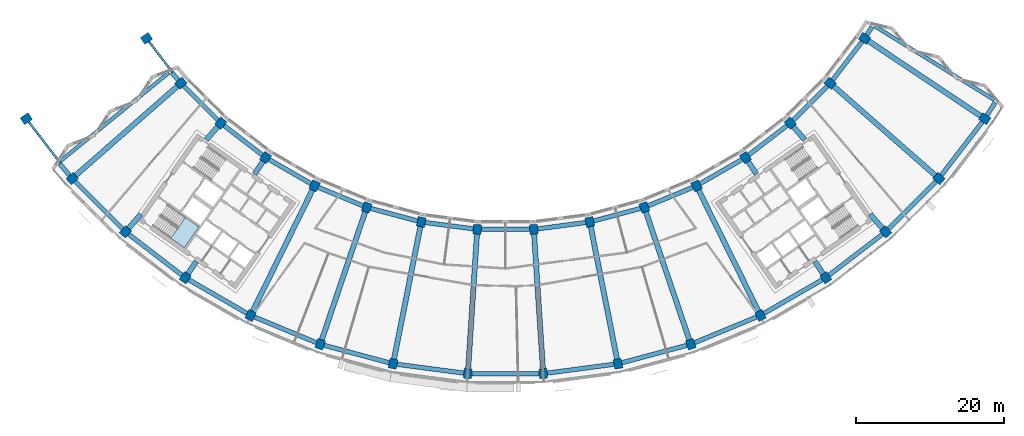
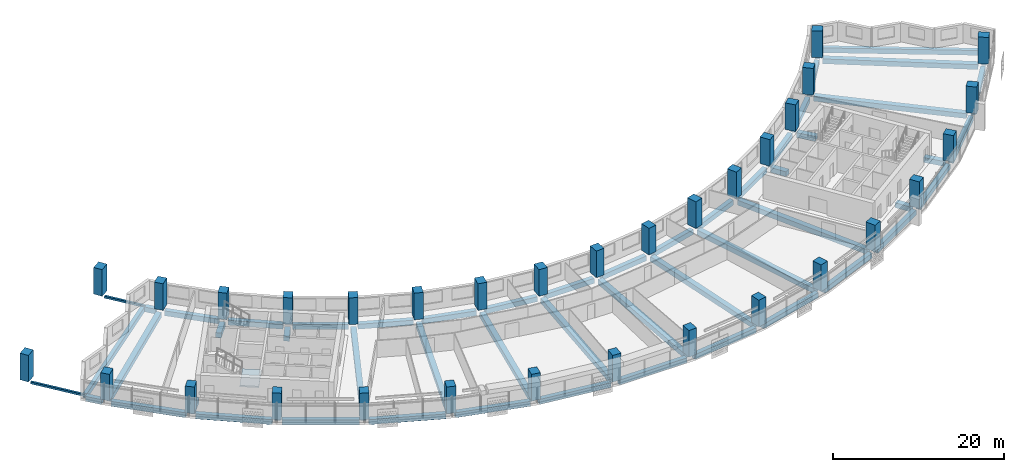
# One storey, part 1 of 27: 53 beams, 32 columns, 2 members, 1 slab, 1 element without a shape of its own.
"""IFC4 building model written with IfcOpenShell, lengths in metres."""

from ifc_helpers import new_model, si_unit, direction, frame, origin, origin_2d, place, context, subcontext, project, spatial, polyline, rectangle, hollow_rectangle, outline, extrude, material, layer, layer_set, material_profile, profile_set, type_object, element, aggregate, save


model = new_model("IFC4")

# Units and contexts
model_context = context("Model", 3, precision=1e-05, world=origin(), true_north=direction((0.0, 1.0)))
body_context = subcontext(model_context, "Body", "Model", "MODEL_VIEW")
ifc_project = project(units=[si_unit("LENGTHUNIT", "METRE"), si_unit("AREAUNIT", "SQUARE_METRE"), si_unit("VOLUMEUNIT", "CUBIC_METRE"), si_unit("PLANEANGLEUNIT", "RADIAN"), si_unit("MASSUNIT", "GRAM", prefix="KILO")], contexts=[model_context])

# Site, building, storey
site_placement = place(None, origin())
site = spatial("IfcSite", under=ifc_project, at=site_placement, CompositionType="ELEMENT")
building_placement = place(site_placement, origin())
building = spatial("IfcBuilding", under=site, at=building_placement, Name="Qamariyya Broadcast Tower", CompositionType="ELEMENT")
storey_placement = place(building_placement, frame((0.0, 0.0, 175.89990234375)))
storey = spatial("IfcBuildingStorey", under=building, at=storey_placement, Name="L41", CompositionType="ELEMENT", Elevation=175.89990234375)

# Columns
ifc_material_1 = material(Name="Concrete C60/75", Category="concrete")
ifc_material_profile_1 = material_profile(ifc_material_1, rectangle(XDim=1.10009765625, YDim=1.300048828125, at=origin_2d()))
ifc_profile_set_1 = profile_set([ifc_material_profile_1], Name="Concrete C60/75")
column_type = type_object("IfcColumnType", Name="RC column 1100 x 1300 C60/75", PredefinedType="COLUMN", material=ifc_profile_set_1)
for number, where, z_axis, x_axis, name in (
    (1, (-43.794677734375, -38.406982421875, 0.0), (0.0, 0.0, 1.0), (0.6593458151, -0.751839807479, 0.0), "Column C8 L41 B-R04"),
    (2, (-58.45556640625, -51.26416015625, 0.0), (0.0, 0.0, 1.0), (0.6593458151, -0.751839807479, 0.0), "Column C8 L41 C-R04"),
    (3, (-38.406982421875, -43.794677734375, 0.0), (0.0, 0.0, 1.0), (0.751839807479, -0.6593458151, 0.0), "Column C8 L41 B-R05"),
    (4, (-51.26416015625, -58.45556640625, 0.0), (0.0, 0.0, 1.0), (0.751839807479, -0.6593458151, 0.0), "Column C8 L41 C-R05"),
    (5, (-32.362060546875, -48.43310546875, 0.0), (0.0, 0.0, 1.0), (0.831469612303, -0.55557023302, 0.0), "Column C8 L41 B-R06"),
    (6, (-43.195556640625, -64.646728515625, 0.0), (0.0, 0.0, 1.0), (0.831469612303, -0.55557023302, 0.0), "Column C8 L41 C-R06"),
    (7, (-25.763427734375, -52.242919921875, 0.0), (0.0, 0.0, 1.0), (0.896872741533, -0.442288690219, 0.0), "Column C8 L41 B-R07"),
    (8, (-34.387939453125, -69.73193359375, 0.0), (0.0, 0.0, 1.0), (0.896872741533, -0.442288690219, 0.0), "Column C8 L41 C-R07"),
    (9, (-18.723876953125, -55.15869140625, 0.0), (0.0, 0.0, 1.0), (0.946930129495, -0.321439465303, 0.0), "Column C8 L41 B-R08"),
    (10, (-24.991943359375, -73.623779296875, 0.0), (0.0, 0.0, 1.0), (0.946930129495, -0.321439465303, 0.0), "Column C8 L41 C-R08"),
    (11, (-11.364013671875, -57.130859375, 0.0), (0.0, 0.0, 1.0), (0.980785280403, -0.195090322016, 0.0), "Column C8 L41 B-R09"),
    (12, (-15.168212890625, -76.256103515625, 0.0), (0.0, 0.0, 1.0), (0.980785280403, -0.195090322016, 0.0), "Column C8 L41 C-R09"),
    (13, (-3.809814453125, -58.125244140625, 0.0), (0.0, 0.0, 1.0), (0.997858923239, -0.06540312923, 0.0), "Column C8 L41 B-R10"),
    (14, (-5.085205078125, -77.58349609375, 0.0), (0.0, 0.0, 1.0), (0.997858923239, -0.06540312923, 0.0), "Column C8 L41 C-R10"),
    (15, (3.809814453125, -58.125244140625, 0.0), (0.0, 0.0, 1.0), (0.997858923239, 0.06540312923, 0.0), "Column C8 L41 B-R11"),
    (16, (5.085205078125, -77.58349609375, 0.0), (0.0, 0.0, 1.0), (0.997858923239, 0.06540312923, 0.0), "Column C8 L41 C-R11"),
    (17, (11.364013671875, -57.130859375, 0.0), (0.0, 0.0, 1.0), (0.980785280403, 0.195090322016, 0.0), "Column C8 L41 B-R12"),
    (18, (15.168212890625, -76.256103515625, 0.0), (0.0, 0.0, 1.0), (0.980785280403, 0.195090322016, 0.0), "Column C8 L41 C-R12"),
    (19, (18.723876953125, -55.15869140625, 0.0), (0.0, 0.0, 1.0), (0.946930129495, 0.321439465303, 0.0), "Column C8 L41 B-R13"),
    (20, (24.991943359375, -73.623779296875, 0.0), (0.0, 0.0, 1.0), (0.946930129495, 0.321439465303, 0.0), "Column C8 L41 C-R13"),
    (21, (25.763427734375, -52.242919921875, 0.0), (0.0, 0.0, 1.0), (0.896872741533, 0.442288690219, 0.0), "Column C8 L41 B-R14"),
    (22, (34.387939453125, -69.73193359375, 0.0), (0.0, 0.0, 1.0), (0.896872741533, 0.442288690219, 0.0), "Column C8 L41 C-R14"),
    (23, (32.362060546875, -48.43310546875, 0.0), (0.0, 0.0, 1.0), (0.831469612303, 0.55557023302, 0.0), "Column C8 L41 B-R15"),
    (24, (43.195556640625, -64.646728515625, 0.0), (0.0, 0.0, 1.0), (0.831469612303, 0.55557023302, 0.0), "Column C8 L41 C-R15"),
    (25, (38.406982421875, -43.794677734375, 0.0), (0.0, 0.0, 1.0), (0.751839807479, 0.6593458151, 0.0), "Column C8 L41 B-R16"),
    (26, (51.26416015625, -58.45556640625, 0.0), (0.0, 0.0, 1.0), (0.751839807479, 0.6593458151, 0.0), "Column C8 L41 C-R16"),
    (27, (43.794677734375, -38.406982421875, 0.0), (0.0, 0.0, 1.0), (0.6593458151, 0.751839807479, 0.0), "Column C8 L41 B-R17"),
    (28, (58.45556640625, -51.26416015625, 0.0), (0.0, 0.0, 1.0), (0.6593458151, 0.751839807479, 0.0), "Column C8 L41 C-R17"),
    (29, (48.43310546875, -32.362060546875, 0.0), (0.0, 0.0, 1.0), (0.55557023302, 0.831469612303, 0.0), "Column C8 L41 B-R18"),
    (30, (64.646728515625, -43.195556640625, 0.0), (0.0, 0.0, 1.0), (0.55557023302, 0.831469612303, 0.0), "Column C8 L41 C-R18"),
    (31, (-48.43310546875, -32.362060546875, 0.0), (0.0, 0.0, 1.0), (0.55557023302, -0.831469612303, 0.0), "Column C8 L41 B-R03"),
    (32, (-64.646728515625, -43.195556640625, 0.0), (0.0, 0.0, 1.0), (0.55557023302, -0.831469612303, 0.0), "Column C8 L41 C-R03"),
):
    element("IfcColumn", number, at=place(storey_placement, frame(where, z_axis=z_axis, x_axis=x_axis)), inside=storey, type_object=column_type, Name=name, PredefinedType="COLUMN", context=body_context, shape_type="SweptSolid", body=[
        extrude(rectangle(XDim=1.10009765625, YDim=1.300048828125, at=origin_2d()), origin(), (0.0, 0.0, 1.0), 3.800048828125),
    ])

# Members
ifc_material_2 = material(Name="Steel S355", Category="steel")
ifc_material_profile_2 = material_profile(ifc_material_2, hollow_rectangle(XDim=0.300048828125, YDim=0.300048828125, WallThickness=0.012451171875, InnerFilletRadius=0.012451171875, OuterFilletRadius=0.02490234375, at=origin_2d()))
ifc_profile_set_2 = profile_set([ifc_material_profile_2], Name="Steel S355")
member_type = type_object("IfcMemberType", Name="Pylon tie RHS 300x300x12.5", PredefinedType="STRUT", material=ifc_profile_set_2)
member_1_placement = place(storey_placement, frame((-44.130126953125, -37.9697265625, -0.449951171875), z_axis=(-0.608774374473, 0.793343406719, 0.0), x_axis=(-0.793343406719, -0.608774374473, 0.0)))
element("IfcMember", 33, at=member_1_placement, inside=storey, type_object=member_type, Name="Pylon tie T1 L41 B-R03", PredefinedType="STRUT", context=body_context, shape_type="SweptSolid", body=[
    extrude(hollow_rectangle(XDim=0.300048828125, YDim=0.300048828125, WallThickness=0.012451171875, InnerFilletRadius=0.012451171875, OuterFilletRadius=0.02490234375, at=origin_2d()), origin(), (0.0, 0.0, 1.0), 6.517333984375),
])
member_2_placement = place(storey_placement, frame((-58.791015625, -50.826904296875, -0.449951171875), z_axis=(-0.608764405458, 0.793351056372, 0.0), x_axis=(-0.793351056372, -0.608764405458, 0.0)))
element("IfcMember", 34, at=member_2_placement, inside=storey, type_object=member_type, Name="Pylon tie T1 L41 C-R03", PredefinedType="STRUT", context=body_context, shape_type="SweptSolid", body=[
    extrude(hollow_rectangle(XDim=0.300048828125, YDim=0.300048828125, WallThickness=0.012451171875, InnerFilletRadius=0.012451171875, OuterFilletRadius=0.02490234375, at=origin_2d()), origin(), (0.0, 0.0, 1.0), 9.06787109375),
])

# Beams
ifc_material_3 = material(Name="Concrete C40/50", Category="concrete")
ifc_material_profile_3 = material_profile(ifc_material_3, rectangle(XDim=0.60009765625, YDim=0.699951171875, at=origin_2d()))
ifc_profile_set_3 = profile_set([ifc_material_profile_3], Name="Concrete C40/50")
beam_type_1 = type_object("IfcBeamType", Name="RC edge beam 600 x 700 C40/50", PredefinedType="SPANDREL", material=ifc_profile_set_3)
for number, where, z_axis, x_axis, name in (
    (35, (-43.405029296875, -38.796630859375, -0.64990234375), (0.707106781187, -0.707106781187, 0.0), (0.707106781187, 0.707106781187, 0.0), "Edge beam B20 L41 B R04-R05"),
    (36, (-37.9697265625, -44.130126953125, -0.64990234375), (0.793343406719, -0.608774374473, 0.0), (0.608774374473, 0.793343406719, 0.0), "Edge beam B20 L41 B R05-R06"),
):
    element("IfcBeam", number, at=place(storey_placement, frame(where, z_axis=z_axis, x_axis=x_axis)), inside=storey, type_object=beam_type_1, Name=name, PredefinedType="SPANDREL", context=body_context, shape_type="SweptSolid", body=[
        extrude(rectangle(XDim=0.60009765625, YDim=0.699951171875, at=origin_2d()), origin(), (0.0, 0.0, 1.0), 6.517333984375),
    ])
beam_1_placement = place(storey_placement, frame((-31.884521484375, -48.708740234375, -0.64990234375), z_axis=(0.866019015165, -0.500011065251, 0.0), x_axis=(0.500011065251, 0.866019015165, 0.0)))
element("IfcBeam", 37, at=beam_1_placement, inside=storey, type_object=beam_type_1, Name="Edge beam B20 L41 B R06-R07", PredefinedType="SPANDREL", context=body_context, shape_type="SweptSolid", body=[
    extrude(rectangle(XDim=0.60009765625, YDim=0.699951171875, at=origin_2d()), origin(), (0.0, 0.0, 1.0), 6.516845703125),
])
for number, where, z_axis, x_axis, name in (
    (38, (-25.254150390625, -52.453857421875, -0.64990234375), (0.923883967792, -0.382672724475, 0.0), (0.382672724475, 0.923883967792, 0.0), "Edge beam B20 L41 B R07-R08"),
    (39, (-18.19140625, -55.30126953125, -0.64990234375), (0.965923971679, -0.258825966504, 0.0), (0.258825966504, 0.965923971679, 0.0), "Edge beam B20 L41 B R08-R09"),
    (40, (-10.817626953125, -57.20263671875, -0.64990234375), (0.991446388377, -0.130514592953, 0.0), (0.130514592953, 0.991446388377, 0.0), "Edge beam B20 L41 B R09-R10"),
    (41, (-3.258544921875, -58.125244140625, -0.64990234375), (1.0, 0.0, 0.0), (0.0, 1.0, 0.0), "Edge beam B20 L41 B R10-R11"),
    (42, (4.356201171875, -58.05322265625, -0.64990234375), (0.991446388377, 0.130514592953, 0.0), (-0.130514592953, 0.991446388377, 0.0), "Edge beam B20 L41 B R11-R12"),
    (43, (11.896484375, -56.988037109375, -0.64990234375), (0.965923971679, 0.258825966504, 0.0), (-0.258825966504, 0.965923971679, 0.0), "Edge beam B20 L41 B R12-R13"),
    (44, (19.233154296875, -54.94775390625, -0.64990234375), (0.923883967792, 0.382672724475, 0.0), (-0.382672724475, 0.923883967792, 0.0), "Edge beam B20 L41 B R13-R14"),
):
    element("IfcBeam", number, at=place(storey_placement, frame(where, z_axis=z_axis, x_axis=x_axis)), inside=storey, type_object=beam_type_1, Name=name, PredefinedType="SPANDREL", context=body_context, shape_type="SweptSolid", body=[
        extrude(rectangle(XDim=0.60009765625, YDim=0.699951171875, at=origin_2d()), origin(), (0.0, 0.0, 1.0), 6.51708984375),
    ])
beam_2_placement = place(storey_placement, frame((26.24072265625, -51.96728515625, -0.64990234375), z_axis=(0.866019015165, 0.500011065251, 0.0), x_axis=(-0.500011065251, 0.866019015165, 0.0)))
element("IfcBeam", 45, at=beam_2_placement, inside=storey, type_object=beam_type_1, Name="Edge beam B20 L41 B R14-R15", PredefinedType="SPANDREL", context=body_context, shape_type="SweptSolid", body=[
    extrude(rectangle(XDim=0.60009765625, YDim=0.699951171875, at=origin_2d()), origin(), (0.0, 0.0, 1.0), 6.516845703125),
])
for number, where, z_axis, x_axis, name in (
    (46, (32.79931640625, -48.09765625, -0.64990234375), (0.793343406719, 0.608774374473, 0.0), (-0.608774374473, 0.793343406719, 0.0), "Edge beam B20 L41 B R15-R16"),
    (47, (38.796630859375, -43.405029296875, -0.64990234375), (0.707106781187, 0.707106781187, 0.0), (-0.707106781187, 0.707106781187, 0.0), "Edge beam B20 L41 B R16-R17"),
    (48, (44.130126953125, -37.9697265625, -0.64990234375), (0.608774374473, 0.793343406719, 0.0), (-0.793343406719, 0.608774374473, 0.0), "Edge beam B20 L41 B R17-R18"),
):
    element("IfcBeam", number, at=place(storey_placement, frame(where, z_axis=z_axis, x_axis=x_axis)), inside=storey, type_object=beam_type_1, Name=name, PredefinedType="SPANDREL", context=body_context, shape_type="SweptSolid", body=[
        extrude(rectangle(XDim=0.60009765625, YDim=0.699951171875, at=origin_2d()), origin(), (0.0, 0.0, 1.0), 6.517333984375),
    ])
beam_3_placement = place(storey_placement, frame((-58.06591796875, -51.65380859375, -0.64990234375), z_axis=(0.707106781187, -0.707106781187, 0.0), x_axis=(0.707106781187, 0.707106781187, 0.0)))
element("IfcBeam", 49, at=beam_3_placement, inside=storey, type_object=beam_type_1, Name="Edge beam B20 L41 C R04-R05", PredefinedType="SPANDREL", context=body_context, shape_type="SweptSolid", body=[
    extrude(rectangle(XDim=0.60009765625, YDim=0.699951171875, at=origin_2d()), origin(), (0.0, 0.0, 1.0), 9.068115234375),
])
for number, where, z_axis, x_axis, name in (
    (50, (-50.826904296875, -58.791015625, -0.64990234375), (0.793351056372, -0.608764405458, 0.0), (0.608764405458, 0.793351056372, 0.0), "Edge beam B20 L41 C R05-R06"),
    (51, (-42.71826171875, -64.92236328125, -0.64990234375), (0.866025972227, -0.499999015427, 0.0), (0.499999015427, 0.866025972227, 0.0), "Edge beam B20 L41 C R06-R07"),
):
    element("IfcBeam", number, at=place(storey_placement, frame(where, z_axis=z_axis, x_axis=x_axis)), inside=storey, type_object=beam_type_1, Name=name, PredefinedType="SPANDREL", context=body_context, shape_type="SweptSolid", body=[
        extrude(rectangle(XDim=0.60009765625, YDim=0.699951171875, at=origin_2d()), origin(), (0.0, 0.0, 1.0), 9.06787109375),
    ])
beam_4_placement = place(storey_placement, frame((-33.878662109375, -69.94287109375, -0.64990234375), z_axis=(0.923882618409, -0.382675982265, 0.0), x_axis=(0.382675982265, 0.923882618409, 0.0)))
element("IfcBeam", 52, at=beam_4_placement, inside=storey, type_object=beam_type_1, Name="Edge beam B20 L41 C R07-R08", PredefinedType="SPANDREL", context=body_context, shape_type="SweptSolid", body=[
    extrude(rectangle(XDim=0.60009765625, YDim=0.699951171875, at=origin_2d()), origin(), (0.0, 0.0, 1.0), 9.067626953125),
])
for number, where, z_axis, x_axis, name in (
    (53, (-24.45947265625, -73.766357421875, -0.64990234375), (0.965925457615, -0.258820421007, 0.0), (0.258820421007, 0.965925457615, 0.0), "Edge beam B20 L41 C R08-R09"),
    (54, (-14.621826171875, -76.327880859375, -0.64990234375), (0.991444762322, -0.130526944594, 0.0), (0.130526944594, 0.991444762322, 0.0), "Edge beam B20 L41 C R09-R10"),
    (55, (-4.533935546875, -77.58349609375, -0.64990234375), (1.0, 0.0, 0.0), (0.0, 1.0, 0.0), "Edge beam B20 L41 C R10-R11"),
    (56, (5.631591796875, -77.511474609375, -0.64990234375), (0.991444762322, 0.130526944594, 0.0), (-0.130526944594, 0.991444762322, 0.0), "Edge beam B20 L41 C R11-R12"),
    (57, (15.70068359375, -76.11328125, -0.64990234375), (0.965925457615, 0.258820421007, 0.0), (-0.258820421007, 0.965925457615, 0.0), "Edge beam B20 L41 C R12-R13"),
):
    element("IfcBeam", number, at=place(storey_placement, frame(where, z_axis=z_axis, x_axis=x_axis)), inside=storey, type_object=beam_type_1, Name=name, PredefinedType="SPANDREL", context=body_context, shape_type="SweptSolid", body=[
        extrude(rectangle(XDim=0.60009765625, YDim=0.699951171875, at=origin_2d()), origin(), (0.0, 0.0, 1.0), 9.06787109375),
    ])
beam_5_placement = place(storey_placement, frame((25.501220703125, -73.412841796875, -0.64990234375), z_axis=(0.923882618409, 0.382675982265, 0.0), x_axis=(-0.382675982265, 0.923882618409, 0.0)))
element("IfcBeam", 58, at=beam_5_placement, inside=storey, type_object=beam_type_1, Name="Edge beam B20 L41 C R13-R14", PredefinedType="SPANDREL", context=body_context, shape_type="SweptSolid", body=[
    extrude(rectangle(XDim=0.60009765625, YDim=0.699951171875, at=origin_2d()), origin(), (0.0, 0.0, 1.0), 9.067626953125),
])
for number, where, z_axis, x_axis, name in (
    (59, (34.865234375, -69.456298828125, -0.64990234375), (0.866025972227, 0.499999015427, 0.0), (-0.499999015427, 0.866025972227, 0.0), "Edge beam B20 L41 C R14-R15"),
    (60, (43.6328125, -64.311279296875, -0.64990234375), (0.793351056372, 0.608764405458, 0.0), (-0.608764405458, 0.793351056372, 0.0), "Edge beam B20 L41 C R15-R16"),
):
    element("IfcBeam", number, at=place(storey_placement, frame(where, z_axis=z_axis, x_axis=x_axis)), inside=storey, type_object=beam_type_1, Name=name, PredefinedType="SPANDREL", context=body_context, shape_type="SweptSolid", body=[
        extrude(rectangle(XDim=0.60009765625, YDim=0.699951171875, at=origin_2d()), origin(), (0.0, 0.0, 1.0), 9.06787109375),
    ])
beam_6_placement = place(storey_placement, frame((51.65380859375, -58.06591796875, -0.64990234375), z_axis=(0.707106781187, 0.707106781187, 0.0), x_axis=(-0.707106781187, 0.707106781187, 0.0)))
element("IfcBeam", 61, at=beam_6_placement, inside=storey, type_object=beam_type_1, Name="Edge beam B20 L41 C R16-R17", PredefinedType="SPANDREL", context=body_context, shape_type="SweptSolid", body=[
    extrude(rectangle(XDim=0.60009765625, YDim=0.699951171875, at=origin_2d()), origin(), (0.0, 0.0, 1.0), 9.068115234375),
])
beam_7_placement = place(storey_placement, frame((58.791015625, -50.826904296875, -0.64990234375), z_axis=(0.608764405458, 0.793351056372, 0.0), x_axis=(-0.793351056372, 0.608764405458, 0.0)))
element("IfcBeam", 62, at=beam_7_placement, inside=storey, type_object=beam_type_1, Name="Edge beam B20 L41 C R17-R18", PredefinedType="SPANDREL", context=body_context, shape_type="SweptSolid", body=[
    extrude(rectangle(XDim=0.60009765625, YDim=0.699951171875, at=origin_2d()), origin(), (0.0, 0.0, 1.0), 9.06787109375),
])
ifc_material_profile_4 = material_profile(ifc_material_3, rectangle(XDim=0.60009765625, YDim=0.699951171875, at=origin_2d()))
ifc_profile_set_4 = profile_set([ifc_material_profile_4], Name="Concrete C40/50")
beam_type_2 = type_object("IfcBeamType", Name="RC horn beam 600 x 700 C40/50", PredefinedType="BEAM", material=ifc_profile_set_4)
beam_8_placement = place(storey_placement, frame((-44.14990234375, -37.98681640625, -0.64990234375), z_axis=(-0.64550244832, 0.76375820075, 0.0), x_axis=(-0.76375820075, -0.64550244832, 0.0)))
element("IfcBeam", 63, at=beam_8_placement, inside=storey, type_object=beam_type_2, Name="Horn beam B19 L41 W B-R04", PredefinedType="BEAM", context=body_context, shape_type="SweptSolid", body=[
    extrude(rectangle(XDim=0.60009765625, YDim=0.699951171875, at=origin_2d()), origin(), (0.0, 0.0, 1.0), 1.3193359375),
])
beam_9_placement = place(storey_placement, frame((-58.810546875, -50.843994140625, -0.64990234375), z_axis=(-0.645613119397, 0.763664651573, 0.0), x_axis=(-0.763664651573, -0.645613119397, 0.0)))
element("IfcBeam", 64, at=beam_9_placement, inside=storey, type_object=beam_type_2, Name="Horn beam B19 L41 W C-R04", PredefinedType="BEAM", context=body_context, shape_type="SweptSolid", body=[
    extrude(rectangle(XDim=0.60009765625, YDim=0.699951171875, at=origin_2d()), origin(), (0.0, 0.0, 1.0), 2.02880859375),
])
beam_10_placement = place(storey_placement, frame((48.73046875, -31.899169921875, -0.64990234375), z_axis=(0.54022431582, 0.841521056538, 0.0), x_axis=(-0.841521056538, 0.54022431582, 0.0)))
element("IfcBeam", 65, at=beam_10_placement, inside=storey, type_object=beam_type_2, Name="Horn beam B19 L41 E B-R18", PredefinedType="BEAM", context=body_context, shape_type="SweptSolid", body=[
    extrude(rectangle(XDim=0.60009765625, YDim=0.699951171875, at=origin_2d()), origin(), (0.0, 0.0, 1.0), 1.319091796875),
])
beam_11_placement = place(storey_placement, frame((64.944091796875, -42.732666015625, -0.64990234375), z_axis=(0.540343925393, 0.841444259765, 0.0), x_axis=(-0.841444259765, 0.540343925393, 0.0)))
element("IfcBeam", 66, at=beam_11_placement, inside=storey, type_object=beam_type_2, Name="Horn beam B19 L41 E C-R18", PredefinedType="BEAM", context=body_context, shape_type="SweptSolid", body=[
    extrude(rectangle(XDim=0.60009765625, YDim=0.699951171875, at=origin_2d()), origin(), (0.0, 0.0, 1.0), 2.02880859375),
])
ifc_material_profile_5 = material_profile(ifc_material_3, rectangle(XDim=0.5, YDim=0.699951171875, at=origin_2d()))
ifc_profile_set_5 = profile_set([ifc_material_profile_5], Name="Concrete C40/50")
beam_type_3 = type_object("IfcBeamType", Name="RC horn cap beam 500 x 700 C40/50", PredefinedType="BEAM", material=ifc_profile_set_5)
for number, where, z_axis, x_axis, name in (
    (67, (-45.3955078125, -36.977783203125, -0.64990234375), (-0.775323537045, -0.631564258729, 0.0), (0.631564258729, -0.775323537045, 0.0), "Horn cap beam B21 L41 W B-C"),
    (68, (49.833740234375, -30.736083984375, -0.64990234375), (0.851122099769, -0.524967781187, 0.0), (0.524967781187, 0.851122099769, 0.0), "Horn cap beam B21 L41 E B-C"),
):
    element("IfcBeam", number, at=place(storey_placement, frame(where, z_axis=z_axis, x_axis=x_axis)), inside=storey, type_object=beam_type_3, Name=name, PredefinedType="BEAM", context=body_context, shape_type="SweptSolid", body=[
        extrude(rectangle(XDim=0.5, YDim=0.699951171875, at=origin_2d()), origin(), (0.0, 0.0, 1.0), 18.89990234375),
    ])
ifc_material_profile_6 = material_profile(ifc_material_3, rectangle(XDim=0.699951171875, YDim=0.699951171875, at=origin_2d()))
ifc_profile_set_6 = profile_set([ifc_material_profile_6], Name="Concrete C40/50")
beam_type_4 = type_object("IfcBeamType", Name="RC radial beam 700 x 700 C40/50", PredefinedType="BEAM", material=ifc_profile_set_6)
beam_12_placement = place(storey_placement, frame((-44.283447265625, -38.83544921875, -0.64990234375), z_axis=(-0.751839141307, -0.659346574723, 0.0), x_axis=(0.659346574723, -0.751839141307, 0.0)))
element("IfcBeam", 69, at=beam_12_placement, inside=storey, type_object=beam_type_4, Name="Radial beam B18 L41 R04 B-C", PredefinedType="BEAM", context=body_context, shape_type="SweptSolid", body=[
    extrude(rectangle(XDim=0.699951171875, YDim=0.699951171875, at=origin_2d()), origin(), (0.0, 0.0, 1.0), 18.199951171875),
])
beam_13_placement = place(storey_placement, frame((-38.83544921875, -44.283447265625, -0.64990234375), z_axis=(-0.659381501846, -0.751808509544, 0.0), x_axis=(0.751808509544, -0.659381501846, 0.0)))
element("IfcBeam", 70, at=beam_13_placement, inside=storey, type_object=beam_type_4, Name="Radial beam B18 L41 R05 B-C", PredefinedType="BEAM", context=body_context, shape_type="SweptSolid", body=[
    extrude(rectangle(XDim=0.699951171875, YDim=0.699951171875, at=origin_2d()), origin(), (0.0, 0.0, 1.0), 2.364013671875),
])
beam_14_placement = place(storey_placement, frame((-49.1943359375, -56.095458984375, -0.64990234375), z_axis=(-0.659344451764, -0.75184100309, 0.0), x_axis=(0.75184100309, -0.659344451764, 0.0)))
element("IfcBeam", 71, at=beam_14_placement, inside=storey, type_object=beam_type_4, Name="Radial beam B18 L41 R05 B-C", PredefinedType="BEAM", context=body_context, shape_type="SweptSolid", body=[
    extrude(rectangle(XDim=0.699951171875, YDim=0.699951171875, at=origin_2d()), origin(), (0.0, 0.0, 1.0), 2.489013671875),
])
beam_15_placement = place(storey_placement, frame((-32.72314453125, -48.9736328125, -0.64990234375), z_axis=(-0.555594913414, -0.83145312086, 0.0), x_axis=(0.83145312086, -0.555594913414, 0.0)))
element("IfcBeam", 72, at=beam_15_placement, inside=storey, type_object=beam_type_4, Name="Radial beam B18 L41 R06 B-C", PredefinedType="BEAM", context=body_context, shape_type="SweptSolid", body=[
    extrude(rectangle(XDim=0.699951171875, YDim=0.699951171875, at=origin_2d()), origin(), (0.0, 0.0, 1.0), 2.014404296875),
])
beam_16_placement = place(storey_placement, frame((-41.733154296875, -62.458251953125, -0.64990234375), z_axis=(-0.555637861027, -0.831424420734, 0.0), x_axis=(0.831424420734, -0.555637861027, 0.0)))
element("IfcBeam", 73, at=beam_16_placement, inside=storey, type_object=beam_type_4, Name="Radial beam B18 L41 R06 B-C", PredefinedType="BEAM", context=body_context, shape_type="SweptSolid", body=[
    extrude(rectangle(XDim=0.699951171875, YDim=0.699951171875, at=origin_2d()), origin(), (0.0, 0.0, 1.0), 1.982177734375),
])
beam_17_placement = place(storey_placement, frame((-26.05078125, -52.82568359375, -0.64990234375), z_axis=(-0.44228110273, -0.896876483228, 0.0), x_axis=(0.896876483228, -0.44228110273, 0.0)))
element("IfcBeam", 74, at=beam_17_placement, inside=storey, type_object=beam_type_4, Name="Radial beam B18 L41 R07 B-C", PredefinedType="BEAM", context=body_context, shape_type="SweptSolid", body=[
    extrude(rectangle(XDim=0.699951171875, YDim=0.699951171875, at=origin_2d()), origin(), (0.0, 0.0, 1.0), 18.2001953125),
])
beam_18_placement = place(storey_placement, frame((-18.932861328125, -55.774169921875, -0.64990234375), z_axis=(-0.321434466477, -0.946931826353, 0.0), x_axis=(0.946931826353, -0.321434466477, 0.0)))
element("IfcBeam", 75, at=beam_18_placement, inside=storey, type_object=beam_type_4, Name="Radial beam B18 L41 R08 B-C", PredefinedType="BEAM", context=body_context, shape_type="SweptSolid", body=[
    extrude(rectangle(XDim=0.699951171875, YDim=0.699951171875, at=origin_2d()), origin(), (0.0, 0.0, 1.0), 18.199951171875),
])
beam_19_placement = place(storey_placement, frame((-11.49072265625, -57.768310546875, -0.64990234375), z_axis=(-0.195097061093, -0.980783939893, 0.0), x_axis=(0.980783939893, -0.195097061093, 0.0)))
element("IfcBeam", 76, at=beam_19_placement, inside=storey, type_object=beam_type_4, Name="Radial beam B18 L41 R09 B-C", PredefinedType="BEAM", context=body_context, shape_type="SweptSolid", body=[
    extrude(rectangle(XDim=0.699951171875, YDim=0.699951171875, at=origin_2d()), origin(), (0.0, 0.0, 1.0), 18.2001953125),
])
for number, where, z_axis, x_axis, name in (
    (77, (-3.852294921875, -58.77392578125, -0.64990234375), (-0.065395361188, -0.997859432353, 0.0), (0.997859432353, -0.065395361188, 0.0), "Radial beam B18 L41 R10 B-C"),
    (78, (3.852294921875, -58.77392578125, -0.64990234375), (0.065395361188, -0.997859432353, 0.0), (0.997859432353, 0.065395361188, 0.0), "Radial beam B18 L41 R11 B-C"),
):
    element("IfcBeam", number, at=place(storey_placement, frame(where, z_axis=z_axis, x_axis=x_axis)), inside=storey, type_object=beam_type_4, Name=name, PredefinedType="BEAM", context=body_context, shape_type="SweptSolid", body=[
        extrude(rectangle(XDim=0.699951171875, YDim=0.699951171875, at=origin_2d()), origin(), (0.0, 0.0, 1.0), 18.199951171875),
    ])
beam_20_placement = place(storey_placement, frame((11.49072265625, -57.768310546875, -0.64990234375), z_axis=(0.195097061093, -0.980783939893, 0.0), x_axis=(0.980783939893, 0.195097061093, 0.0)))
element("IfcBeam", 79, at=beam_20_placement, inside=storey, type_object=beam_type_4, Name="Radial beam B18 L41 R12 B-C", PredefinedType="BEAM", context=body_context, shape_type="SweptSolid", body=[
    extrude(rectangle(XDim=0.699951171875, YDim=0.699951171875, at=origin_2d()), origin(), (0.0, 0.0, 1.0), 18.2001953125),
])
beam_21_placement = place(storey_placement, frame((18.932861328125, -55.774169921875, -0.64990234375), z_axis=(0.321434466477, -0.946931826353, 0.0), x_axis=(0.946931826353, 0.321434466477, 0.0)))
element("IfcBeam", 80, at=beam_21_placement, inside=storey, type_object=beam_type_4, Name="Radial beam B18 L41 R13 B-C", PredefinedType="BEAM", context=body_context, shape_type="SweptSolid", body=[
    extrude(rectangle(XDim=0.699951171875, YDim=0.699951171875, at=origin_2d()), origin(), (0.0, 0.0, 1.0), 18.199951171875),
])
beam_22_placement = place(storey_placement, frame((26.05078125, -52.82568359375, -0.64990234375), z_axis=(0.44228110273, -0.896876483228, 0.0), x_axis=(0.896876483228, 0.44228110273, 0.0)))
element("IfcBeam", 81, at=beam_22_placement, inside=storey, type_object=beam_type_4, Name="Radial beam B18 L41 R14 B-C", PredefinedType="BEAM", context=body_context, shape_type="SweptSolid", body=[
    extrude(rectangle(XDim=0.699951171875, YDim=0.699951171875, at=origin_2d()), origin(), (0.0, 0.0, 1.0), 18.2001953125),
])
beam_23_placement = place(storey_placement, frame((32.72314453125, -48.9736328125, -0.64990234375), z_axis=(0.555594913414, -0.83145312086, 0.0), x_axis=(0.83145312086, 0.555594913414, 0.0)))
element("IfcBeam", 82, at=beam_23_placement, inside=storey, type_object=beam_type_4, Name="Radial beam B18 L41 R15 B-C", PredefinedType="BEAM", context=body_context, shape_type="SweptSolid", body=[
    extrude(rectangle(XDim=0.699951171875, YDim=0.699951171875, at=origin_2d()), origin(), (0.0, 0.0, 1.0), 2.014404296875),
])
beam_24_placement = place(storey_placement, frame((41.733154296875, -62.458251953125, -0.64990234375), z_axis=(0.555637861027, -0.831424420734, 0.0), x_axis=(0.831424420734, 0.555637861027, 0.0)))
element("IfcBeam", 83, at=beam_24_placement, inside=storey, type_object=beam_type_4, Name="Radial beam B18 L41 R15 B-C", PredefinedType="BEAM", context=body_context, shape_type="SweptSolid", body=[
    extrude(rectangle(XDim=0.699951171875, YDim=0.699951171875, at=origin_2d()), origin(), (0.0, 0.0, 1.0), 1.982177734375),
])
beam_25_placement = place(storey_placement, frame((38.83544921875, -44.283447265625, -0.64990234375), z_axis=(0.659381501846, -0.751808509544, 0.0), x_axis=(0.751808509544, 0.659381501846, 0.0)))
element("IfcBeam", 84, at=beam_25_placement, inside=storey, type_object=beam_type_4, Name="Radial beam B18 L41 R16 B-C", PredefinedType="BEAM", context=body_context, shape_type="SweptSolid", body=[
    extrude(rectangle(XDim=0.699951171875, YDim=0.699951171875, at=origin_2d()), origin(), (0.0, 0.0, 1.0), 2.364013671875),
])
beam_26_placement = place(storey_placement, frame((49.1943359375, -56.095458984375, -0.64990234375), z_axis=(0.659344451764, -0.75184100309, 0.0), x_axis=(0.75184100309, 0.659344451764, 0.0)))
element("IfcBeam", 85, at=beam_26_placement, inside=storey, type_object=beam_type_4, Name="Radial beam B18 L41 R16 B-C", PredefinedType="BEAM", context=body_context, shape_type="SweptSolid", body=[
    extrude(rectangle(XDim=0.699951171875, YDim=0.699951171875, at=origin_2d()), origin(), (0.0, 0.0, 1.0), 2.489013671875),
])
beam_27_placement = place(storey_placement, frame((44.283447265625, -38.83544921875, -0.64990234375), z_axis=(0.751839141307, -0.659346574723, 0.0), x_axis=(0.659346574723, 0.751839141307, 0.0)))
element("IfcBeam", 86, at=beam_27_placement, inside=storey, type_object=beam_type_4, Name="Radial beam B18 L41 R17 B-C", PredefinedType="BEAM", context=body_context, shape_type="SweptSolid", body=[
    extrude(rectangle(XDim=0.699951171875, YDim=0.699951171875, at=origin_2d()), origin(), (0.0, 0.0, 1.0), 18.199951171875),
])
beam_28_placement = place(storey_placement, frame((48.9736328125, -32.72314453125, -0.64990234375), z_axis=(0.831467855631, -0.555572862056, 0.0), x_axis=(0.555572862056, 0.831467855631, 0.0)))
element("IfcBeam", 87, at=beam_28_placement, inside=storey, type_object=beam_type_4, Name="Radial beam B18 L41 R18 B-C", PredefinedType="BEAM", context=body_context, shape_type="SweptSolid", body=[
    extrude(rectangle(XDim=0.699951171875, YDim=0.699951171875, at=origin_2d()), origin(), (0.0, 0.0, 1.0), 18.19970703125),
])

# Stair, slab
ifc_material_4 = material(Name="Concrete C50/60", Category="concrete")
stair_type = type_object("IfcStairType", Name="Exit stair 22 risers of 173 mm", PredefinedType="HALF_TURN_STAIR", material=ifc_material_4)
stair_placement = place(storey_placement, origin())
stair = element("IfcStair", 88, at=stair_placement, inside=storey, type_object=stair_type, Name="L41 Stair W1", PredefinedType="HALF_TURN_STAIR")
ifc_layer = layer(ifc_material_4, 0.199951171875)
ifc_layer_set = layer_set([ifc_layer], Name="Stair landing")
slab_type = type_object("IfcSlabType", Name="Stair landing", PredefinedType="LANDING", material=ifc_layer_set)
slab_placement = place(storey_placement, frame((0.0, 0.0, 1.7001953125)))
slab = element("IfcSlab", 89, at=slab_placement, type_object=slab_type, Name="ST-W1 landing 1", PredefinedType="LANDING", context=body_context, shape_type="SweptSolid", body=[
    extrude(outline(polyline([(-45.169677734375, -59.319580078125), (-43.3271484375, -60.609619140625), (-41.348388671875, -57.783447265625), (-43.19091796875, -56.493408203125), (-45.169677734375, -59.319580078125)])), origin(), (0.0, 0.0, 1.0), 0.199951171875),
])
aggregate(stair, [slab])

save(model, "model.ifc")
